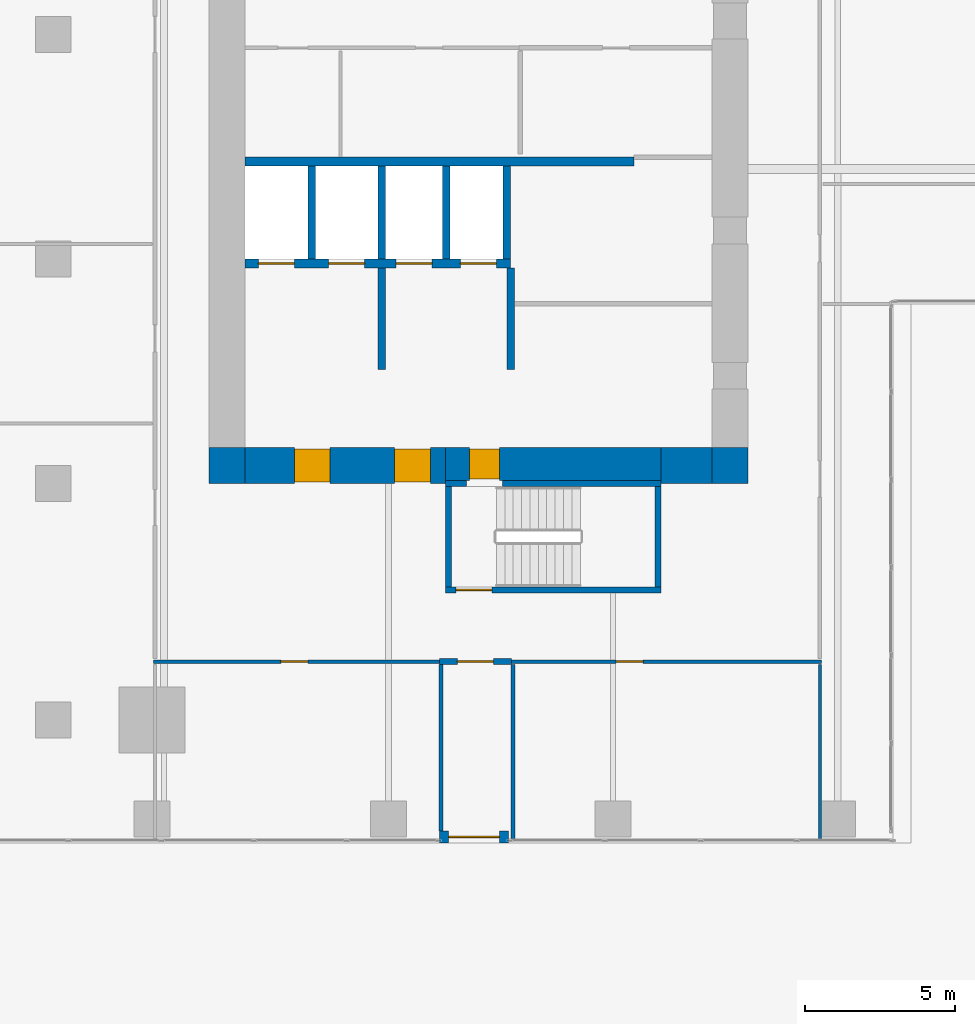
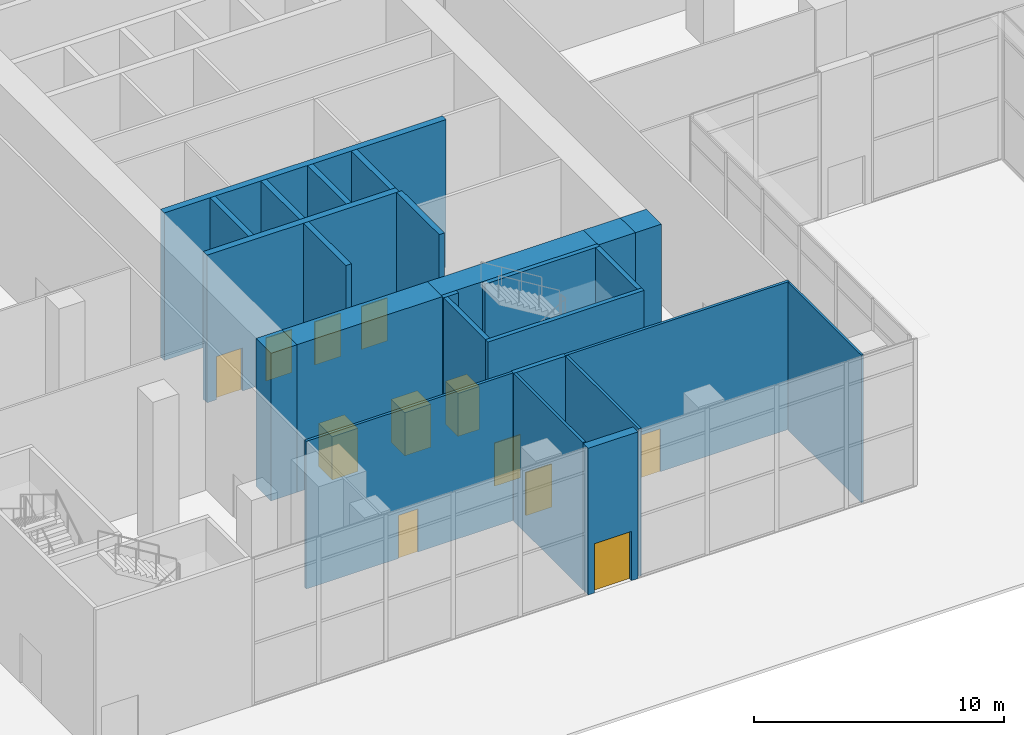
# One storey, part 37 of 52: 25 walls, 12 doors, 12 openings.
"""IFC4 building model written with IfcOpenShell, lengths in metres."""

from ifc_helpers import new_model, si_unit, direction, frame, frame_2d, origin, place, context, subcontext, project, spatial, rectangle, extrude, source, transform, mapped, material, layer, layer_set, type_object, element, fill, save


model = new_model("IFC4")

# Units and contexts
model_context = context("Model", 3, precision=1e-05, world=origin(), true_north=direction((0.0, 1.0)))
body_context = subcontext(model_context, "Body", "Model", "MODEL_VIEW")
ifc_project = project(units=[si_unit("LENGTHUNIT", "METRE"), si_unit("AREAUNIT", "SQUARE_METRE"), si_unit("VOLUMEUNIT", "CUBIC_METRE"), si_unit("PLANEANGLEUNIT", "RADIAN"), si_unit("MASSUNIT", "GRAM", prefix="KILO")], contexts=[model_context])

# Site, building, storey
site_placement = place(None, origin())
site = spatial("IfcSite", under=ifc_project, at=site_placement, CompositionType="ELEMENT")
building_placement = place(site_placement, origin())
building = spatial("IfcBuilding", under=site, at=building_placement, Name="Khomas Fold Tower", CompositionType="ELEMENT")
storey_placement = place(building_placement, origin())
storey = spatial("IfcBuildingStorey", under=building, at=storey_placement, Name="L00", CompositionType="ELEMENT", Elevation=0.0)

# Wall, openings, doors
ifc_material_1 = material(Name="Concrete C70/85", Category="concrete")
ifc_layer_1 = layer(ifc_material_1, 1.199951171875)
ifc_layer_set_1 = layer_set([ifc_layer_1], Name="Concrete C70/85")
wall_type_1 = type_object("IfcWallType", Name="Core wall 1200", PredefinedType="SHEAR", material=ifc_layer_set_1)
shared_shape_1 = source(origin(), body_context, "Body", "SweptSolid", [
    extrude(rectangle(XDim=6.699951171875, YDim=1.199951171875, at=frame_2d((3.35009765625, 0.0))), origin(), (0.0, 0.0, 1.0), 7.199951171875),
])
wall_1_placement = place(storey_placement, frame((7.199951171875, 12.60009765625, 0.0), z_axis=(0.0, 0.0, 1.0), x_axis=(1.0, 0.0, 0.0)))
wall_1 = element("IfcWall", 1, at=wall_1_placement, inside=storey, type_object=wall_type_1, Name="Core wall CW-L-S-B2", PredefinedType="SHEAR", context=body_context, shape_type="MappedRepresentation", body=[
    mapped(shared_shape_1, transform((0.0, 0.0, 0.0))),
])
shared_shape_2 = source(origin(), body_context, "Body", "SweptSolid", [
    extrude(rectangle(XDim=1.199951171875, YDim=2.10009765625, at=frame_2d((0.60009765625, 1.050048828125))), frame((0.0, 0.60986328125, 0.0), z_axis=(0.0, -1.0, 0.0), x_axis=(1.0, 0.0, 0.0)), (0.0, 0.0, 1.0), 1.219970703125),
])
opening_1_placement = place(wall_1_placement, frame((5.0, 0.0, 0.0)))
opening_1 = element("IfcOpeningElement", 2, at=opening_1_placement, cuts=wall_1, Name="Opening 0009", PredefinedType="OPENING", context=body_context, shape_type="MappedRepresentation", body=[
    mapped(shared_shape_2, transform((0.0, 0.0, 0.0))),
])
opening_2_placement = place(wall_1_placement, frame((1.64990234375, 0.0, 0.0)))
opening_2 = element("IfcOpeningElement", 3, at=opening_2_placement, cuts=wall_1, Name="Opening 0009", PredefinedType="OPENING", context=body_context, shape_type="MappedRepresentation", body=[
    mapped(shared_shape_2, transform((0.0, 0.0, 0.0))),
])
ifc_material_2 = material(Name="Steel door leaf", Category="steel")
door_type_1 = type_object("IfcDoorType", Name="Lobby door 1200x2100 right-hand", OperationType="SINGLE_SWING_RIGHT", PredefinedType="DOOR", material=ifc_material_2)
shared_shape_3 = source(origin(), body_context, "Body", "SweptSolid", [
    extrude(rectangle(XDim=1.199951171875, YDim=2.10009765625, at=frame_2d((0.60009765625, 1.050048828125))), frame((0.0, 0.5498046875, 0.0), z_axis=(0.0, -1.0, 0.0), x_axis=(1.0, 0.0, 0.0)), (0.0, 0.0, 1.0), 1.099853515625),
])
door_1_placement = place(opening_1_placement, origin())
door_1 = element("IfcDoor", 4, at=door_1_placement, inside=storey, type_object=door_type_1, Name="Lobby door", OperationType="SINGLE_SWING_RIGHT", OverallHeight=2.10009765625, OverallWidth=1.199951171875, PredefinedType="DOOR", context=body_context, shape_type="MappedRepresentation", body=[
    mapped(shared_shape_3, transform((0.0, 0.0, 0.0))),
])
fill(opening_1, door_1)
door_2_placement = place(opening_2_placement, origin())
door_2 = element("IfcDoor", 5, at=door_2_placement, inside=storey, type_object=door_type_1, Name="Lobby door", OperationType="SINGLE_SWING_RIGHT", OverallHeight=2.10009765625, OverallWidth=1.199951171875, PredefinedType="DOOR", context=body_context, shape_type="MappedRepresentation", body=[
    mapped(shared_shape_3, transform((0.0, 0.0, 0.0))),
])
fill(opening_2, door_2)

# Walls
ifc_material_3 = material(Name="Concrete C70/85", Category="concrete")
ifc_layer_2 = layer(ifc_material_3, 1.199951171875)
ifc_layer_set_2 = layer_set([ifc_layer_2], Name="Concrete C70/85")
wall_type_2 = type_object("IfcWallType", Name="Core corner wall 1200", PredefinedType="SHEAR", material=ifc_layer_set_2)
shared_shape_4 = source(origin(), body_context, "Body", "SweptSolid", [
    extrude(rectangle(XDim=1.199951171875, YDim=1.199951171875, at=frame_2d((0.60009765625, 0.0))), origin(), (0.0, 0.0, 1.0), 7.199951171875),
])
for number, where, z_axis, x_axis, name in (
    (6, (22.800048828125, 12.60009765625, 0.0), (0.0, 0.0, 1.0), (1.0, 0.0, 0.0), "Core wall CW-L-SE-B2"),
    (7, (6.0, 12.60009765625, 0.0), (0.0, 0.0, 1.0), (1.0, 0.0, 0.0), "Core wall CW-L-SW-B2"),
):
    element("IfcWall", number, at=place(storey_placement, frame(where, z_axis=z_axis, x_axis=x_axis)), inside=storey, type_object=wall_type_2, Name=name, PredefinedType="SHEAR", context=body_context, shape_type="MappedRepresentation", body=[
        mapped(shared_shape_4, transform((0.0, 0.0, 0.0))),
    ])

# Wall, opening, door
ifc_material_4 = material(Name="Concrete C70/85", Category="concrete")
ifc_layer_3 = layer(ifc_material_4, 1.10009765625)
ifc_layer_set_3 = layer_set([ifc_layer_3], Name="Concrete C70/85")
wall_type_3 = type_object("IfcWallType", Name="Core wall 1100", PredefinedType="SHEAR", material=ifc_layer_set_3)
shared_shape_5 = source(origin(), body_context, "Body", "SweptSolid", [
    extrude(rectangle(XDim=7.2001953125, YDim=1.10009765625, at=frame_2d((3.60009765625, 0.0))), origin(), (0.0, 0.0, 1.0), 7.199951171875),
])
wall_2_placement = place(storey_placement, frame((13.89990234375, 12.64990234375, 0.0), z_axis=(0.0, 0.0, 1.0), x_axis=(1.0, 0.0, 0.0)))
wall_2 = element("IfcWall", 8, at=wall_2_placement, inside=storey, type_object=wall_type_3, Name="Core wall CW-L-S-B2-1", PredefinedType="SHEAR", context=body_context, shape_type="MappedRepresentation", body=[
    mapped(shared_shape_5, transform((0.0, 0.0, 0.0))),
])
shared_shape_6 = source(origin(), body_context, "Body", "SweptSolid", [
    extrude(rectangle(XDim=1.0, YDim=2.10009765625, at=frame_2d((0.5, 1.050048828125))), frame((0.0, 0.56005859375, 0.0), z_axis=(0.0, -1.0, 0.0), x_axis=(1.0, 0.0, 0.0)), (0.0, 0.0, 1.0), 1.1201171875),
])
opening_3_placement = place(wall_2_placement, frame((0.800048828125, 0.0, 0.0)))
opening_3 = element("IfcOpeningElement", 9, at=opening_3_placement, cuts=wall_2, Name="Opening 0010", PredefinedType="OPENING", context=body_context, shape_type="MappedRepresentation", body=[
    mapped(shared_shape_6, transform((0.0, 0.0, 0.0))),
])
ifc_material_5 = material(Name="Steel door leaf", Category="steel")
door_type_2 = type_object("IfcDoorType", Name="Stair door 1000x2100 right-hand", OperationType="SINGLE_SWING_RIGHT", PredefinedType="DOOR", material=ifc_material_5)
shared_shape_7 = source(origin(), body_context, "Body", "SweptSolid", [
    extrude(rectangle(XDim=1.0, YDim=2.10009765625, at=frame_2d((0.5, 1.050048828125))), frame((0.0, 0.5, 0.0), z_axis=(0.0, -1.0, 0.0), x_axis=(1.0, 0.0, 0.0)), (0.0, 0.0, 1.0), 1.0),
])
door_3_placement = place(opening_3_placement, origin())
door_3 = element("IfcDoor", 10, at=door_3_placement, inside=storey, type_object=door_type_2, Name="Stair door", OperationType="SINGLE_SWING_RIGHT", OverallHeight=2.10009765625, OverallWidth=1.0, PredefinedType="DOOR", context=body_context, shape_type="MappedRepresentation", body=[
    mapped(shared_shape_7, transform((0.0, 0.0, 0.0))),
])
fill(opening_3, door_3)

# Walls
shared_shape_8 = source(origin(), body_context, "Body", "SweptSolid", [
    extrude(rectangle(XDim=1.699951171875, YDim=1.199951171875, at=frame_2d((0.85009765625, 0.0))), origin(), (0.0, 0.0, 1.0), 7.199951171875),
])
wall_3_placement = place(storey_placement, frame((21.10009765625, 12.60009765625, 0.0), z_axis=(0.0, 0.0, 1.0), x_axis=(1.0, 0.0, 0.0)))
element("IfcWall", 11, at=wall_3_placement, inside=storey, type_object=wall_type_1, Name="Core wall CW-L-S-B2-2", PredefinedType="SHEAR", context=body_context, shape_type="MappedRepresentation", body=[
    mapped(shared_shape_8, transform((0.0, 0.0, 0.0))),
])
ifc_material_6 = material(Name="Concrete C50/60", Category="concrete")
ifc_layer_4 = layer(ifc_material_6, 0.199951171875)
ifc_layer_set_4 = layer_set([ifc_layer_4], Name="Concrete C50/60")
wall_type_4 = type_object("IfcWallType", Name="Stair wall 200", PredefinedType="SHEAR", material=ifc_layer_set_4)
shared_shape_9 = source(origin(), body_context, "Body", "SweptSolid", [
    extrude(rectangle(XDim=0.7001953125, YDim=0.199951171875, at=frame_2d((0.35009765625, 0.0))), origin(), (0.0, 0.0, 1.0), 7.199951171875),
])
wall_4_placement = place(storey_placement, frame((13.89990234375, 12.0, 0.0), z_axis=(0.0, 0.0, 1.0), x_axis=(1.0, 0.0, 0.0)))
element("IfcWall", 12, at=wall_4_placement, inside=storey, type_object=wall_type_4, Name="Stair wall SW-ST2-N", PredefinedType="SHEAR", context=body_context, shape_type="MappedRepresentation", body=[
    mapped(shared_shape_9, transform((0.0, 0.0, 0.0))),
])
shared_shape_10 = source(origin(), body_context, "Body", "SweptSolid", [
    extrude(rectangle(XDim=5.300048828125, YDim=0.199951171875, at=frame_2d((2.64990234375, 0.0))), origin(), (0.0, 0.0, 1.0), 7.199951171875),
])
wall_5_placement = place(storey_placement, frame((15.800048828125, 12.0, 0.0), z_axis=(0.0, 0.0, 1.0), x_axis=(1.0, 0.0, 0.0)))
element("IfcWall", 13, at=wall_5_placement, inside=storey, type_object=wall_type_4, Name="Stair wall SW-ST2-NB", PredefinedType="SHEAR", context=body_context, shape_type="MappedRepresentation", body=[
    mapped(shared_shape_10, transform((0.0, 0.0, 0.0))),
])

# Wall, opening, door
shared_shape_11 = source(origin(), body_context, "Body", "SweptSolid", [
    extrude(rectangle(XDim=7.2001953125, YDim=0.199951171875, at=frame_2d((3.60009765625, 0.0))), origin(), (0.0, 0.0, 1.0), 7.199951171875),
])
wall_6_placement = place(storey_placement, frame((13.89990234375, 8.449951171875, 0.0), z_axis=(0.0, 0.0, 1.0), x_axis=(1.0, 0.0, 0.0)))
wall_6 = element("IfcWall", 14, at=wall_6_placement, inside=storey, type_object=wall_type_4, Name="Stair wall SW-ST2-S", PredefinedType="SHEAR", context=body_context, shape_type="MappedRepresentation", body=[
    mapped(shared_shape_11, transform((0.0, 0.0, 0.0))),
])
shared_shape_12 = source(origin(), body_context, "Body", "SweptSolid", [
    extrude(rectangle(XDim=1.199951171875, YDim=2.10009765625, at=frame_2d((0.60009765625, 1.050048828125))), frame((0.0, 0.10986328125, 0.0), z_axis=(0.0, -1.0, 0.0), x_axis=(1.0, 0.0, 0.0)), (0.0, 0.0, 1.0), 0.219970703125),
])
opening_4_placement = place(wall_6_placement, frame((0.35009765625, 0.0, 0.0)))
opening_4 = element("IfcOpeningElement", 15, at=opening_4_placement, cuts=wall_6, Name="Opening SD-ST2", PredefinedType="OPENING", context=body_context, shape_type="MappedRepresentation", body=[
    mapped(shared_shape_12, transform((0.0, 0.0, 0.0))),
])
ifc_material_7 = material(Name="Steel door leaf", Category="steel")
door_type_3 = type_object("IfcDoorType", Name="Stair door 1200x2100 right-hand", OperationType="SINGLE_SWING_RIGHT", PredefinedType="DOOR", material=ifc_material_7)
shared_shape_13 = source(origin(), body_context, "Body", "SweptSolid", [
    extrude(rectangle(XDim=1.199951171875, YDim=2.10009765625, at=frame_2d((0.60009765625, 1.050048828125))), frame((0.0, 0.02490234375, 0.0), z_axis=(0.0, -1.0, 0.0), x_axis=(1.0, 0.0, 0.0)), (0.0, 0.0, 1.0), 0.050048828125),
])
door_4_placement = place(opening_4_placement, origin())
door_4 = element("IfcDoor", 16, at=door_4_placement, inside=storey, type_object=door_type_3, Name="Stair door", OperationType="SINGLE_SWING_RIGHT", OverallHeight=2.10009765625, OverallWidth=1.199951171875, PredefinedType="DOOR", context=body_context, shape_type="MappedRepresentation", body=[
    mapped(shared_shape_13, transform((0.0, 0.0, 0.0))),
])
fill(opening_4, door_4)

# Walls
shared_shape_14 = source(origin(), body_context, "Body", "SweptSolid", [
    extrude(rectangle(XDim=3.349853515625, YDim=0.199951171875, at=frame_2d((1.6748046875, 0.0))), origin(), (0.0, 0.0, 1.0), 7.199951171875),
])
for number, where, z_axis, x_axis, name in (
    (17, (21.0, 8.550048828125, 0.0), (0.0, 0.0, 1.0), (0.0, 1.0, 0.0), "Stair wall SW-ST2-E"),
    (18, (14.0, 8.550048828125, 0.0), (0.0, 0.0, 1.0), (0.0, 1.0, 0.0), "Stair wall SW-ST2-W"),
):
    element("IfcWall", number, at=place(storey_placement, frame(where, z_axis=z_axis, x_axis=x_axis)), inside=storey, type_object=wall_type_4, Name=name, PredefinedType="SHEAR", context=body_context, shape_type="MappedRepresentation", body=[
        mapped(shared_shape_14, transform((0.0, 0.0, 0.0))),
    ])
ifc_material_8 = material(Name="Concrete C50/60", Category="concrete")
ifc_layer_5 = layer(ifc_material_8, 0.300048828125)
ifc_layer_set_5 = layer_set([ifc_layer_5], Name="Concrete C50/60")
wall_type_5 = type_object("IfcWallType", Name="Shaft wall 300", PredefinedType="STANDARD", material=ifc_layer_set_5)
shared_shape_15 = source(origin(), body_context, "Body", "SweptSolid", [
    extrude(rectangle(XDim=13.0, YDim=0.300048828125, at=frame_2d((6.5, 0.0))), origin(), (0.0, 0.0, 1.0), 7.199951171875),
])
wall_7_placement = place(storey_placement, frame((7.199951171875, 22.75, 0.0), z_axis=(0.0, 0.0, 1.0), x_axis=(1.0, 0.0, 0.0)))
element("IfcWall", 19, at=wall_7_placement, inside=storey, type_object=wall_type_5, Name="Core wall SW-FS-B", PredefinedType="STANDARD", context=body_context, shape_type="MappedRepresentation", body=[
    mapped(shared_shape_15, transform((0.0, 0.0, 0.0))),
])

# Wall, openings, doors
shared_shape_16 = source(origin(), body_context, "Body", "SweptSolid", [
    extrude(rectangle(XDim=8.875, YDim=0.300048828125, at=frame_2d((4.4375, 0.0))), origin(), (0.0, 0.0, 1.0), 7.199951171875),
])
wall_8_placement = place(storey_placement, frame((7.199951171875, 19.35009765625, 0.0), z_axis=(0.0, 0.0, 1.0), x_axis=(1.0, 0.0, 0.0)))
wall_8 = element("IfcWall", 20, at=wall_8_placement, inside=storey, type_object=wall_type_5, Name="Core wall SW-FS-F", PredefinedType="STANDARD", context=body_context, shape_type="MappedRepresentation", body=[
    mapped(shared_shape_16, transform((0.0, 0.0, 0.0))),
])
shared_shape_17 = source(origin(), body_context, "Body", "SweptSolid", [
    extrude(rectangle(XDim=1.199951171875, YDim=2.10009765625, at=frame_2d((0.60009765625, 1.050048828125))), frame((0.0, 0.159912109375, 0.0), z_axis=(0.0, -1.0, 0.0), x_axis=(1.0, 0.0, 0.0)), (0.0, 0.0, 1.0), 0.320068359375),
])
opening_5_placement = place(wall_8_placement, frame((0.449951171875, 0.0, 0.0)))
opening_5 = element("IfcOpeningElement", 21, at=opening_5_placement, cuts=wall_8, Name="Opening LD-SV1", PredefinedType="OPENING", context=body_context, shape_type="MappedRepresentation", body=[
    mapped(shared_shape_17, transform((0.0, 0.0, 0.0))),
])
opening_6_placement = place(wall_8_placement, frame((2.800048828125, 0.0, 0.0)))
opening_6 = element("IfcOpeningElement", 22, at=opening_6_placement, cuts=wall_8, Name="Opening LD-SV2", PredefinedType="OPENING", context=body_context, shape_type="MappedRepresentation", body=[
    mapped(shared_shape_17, transform((0.0, 0.0, 0.0))),
])
opening_7_placement = place(wall_8_placement, frame((5.050048828125, 0.0, 0.0)))
opening_7 = element("IfcOpeningElement", 23, at=opening_7_placement, cuts=wall_8, Name="Opening LD-FF1", PredefinedType="OPENING", context=body_context, shape_type="MappedRepresentation", body=[
    mapped(shared_shape_17, transform((0.0, 0.0, 0.0))),
])
opening_8_placement = place(wall_8_placement, frame((7.199951171875, 0.0, 0.0)))
opening_8 = element("IfcOpeningElement", 24, at=opening_8_placement, cuts=wall_8, Name="Opening LD-FF2", PredefinedType="OPENING", context=body_context, shape_type="MappedRepresentation", body=[
    mapped(shared_shape_17, transform((0.0, 0.0, 0.0))),
])
ifc_material_9 = material(Name="Steel door leaf", Category="steel")
door_type_4 = type_object("IfcDoorType", Name="Landing door 1200x2100", OperationType="DOUBLE_DOOR_SLIDING", PredefinedType="DOOR", material=ifc_material_9)
door_5_placement = place(opening_5_placement, origin())
door_5 = element("IfcDoor", 25, at=door_5_placement, inside=storey, type_object=door_type_4, Name="Lift landing door", OperationType="DOUBLE_DOOR_SLIDING", OverallHeight=2.10009765625, OverallWidth=1.199951171875, PredefinedType="DOOR", context=body_context, shape_type="MappedRepresentation", body=[
    mapped(shared_shape_13, transform((0.0, 0.0, 0.0))),
])
fill(opening_5, door_5)
door_6_placement = place(opening_6_placement, origin())
door_6 = element("IfcDoor", 26, at=door_6_placement, inside=storey, type_object=door_type_4, Name="Lift landing door", OperationType="DOUBLE_DOOR_SLIDING", OverallHeight=2.10009765625, OverallWidth=1.199951171875, PredefinedType="DOOR", context=body_context, shape_type="MappedRepresentation", body=[
    mapped(shared_shape_13, transform((0.0, 0.0, 0.0))),
])
fill(opening_6, door_6)
door_7_placement = place(opening_7_placement, origin())
door_7 = element("IfcDoor", 27, at=door_7_placement, inside=storey, type_object=door_type_4, Name="Lift landing door", OperationType="DOUBLE_DOOR_SLIDING", OverallHeight=2.10009765625, OverallWidth=1.199951171875, PredefinedType="DOOR", context=body_context, shape_type="MappedRepresentation", body=[
    mapped(shared_shape_13, transform((0.0, 0.0, 0.0))),
])
fill(opening_7, door_7)
door_8_placement = place(opening_8_placement, origin())
door_8 = element("IfcDoor", 28, at=door_8_placement, inside=storey, type_object=door_type_4, Name="Lift landing door", OperationType="DOUBLE_DOOR_SLIDING", OverallHeight=2.10009765625, OverallWidth=1.199951171875, PredefinedType="DOOR", context=body_context, shape_type="MappedRepresentation", body=[
    mapped(shared_shape_13, transform((0.0, 0.0, 0.0))),
])
fill(opening_8, door_8)

# Walls
ifc_material_10 = material(Name="Concrete C50/60", Category="concrete")
ifc_layer_6 = layer(ifc_material_10, 0.25)
ifc_layer_set_6 = layer_set([ifc_layer_6], Name="Concrete C50/60")
wall_type_6 = type_object("IfcWallType", Name="Shaft wall 250", PredefinedType="STANDARD", material=ifc_layer_set_6)
shared_shape_18 = source(origin(), body_context, "Body", "SweptSolid", [
    extrude(rectangle(XDim=3.10009765625, YDim=0.25, at=frame_2d((1.550048828125, 0.0))), origin(), (0.0, 0.0, 1.0), 7.199951171875),
])
for number, where, z_axis, x_axis, name in (
    (29, (9.425048828125, 19.5, 0.0), (0.0, 0.0, 1.0), (0.0, 1.0, 0.0), "Core wall SW-FS-P1"),
    (30, (11.77490234375, 19.5, 0.0), (0.0, 0.0, 1.0), (0.0, 1.0, 0.0), "Core wall SW-FS-P2"),
    (31, (13.925048828125, 19.5, 0.0), (0.0, 0.0, 1.0), (0.0, 1.0, 0.0), "Core wall SW-FS-P3"),
    (32, (15.949951171875, 19.5, 0.0), (0.0, 0.0, 1.0), (0.0, 1.0, 0.0), "Core wall SW-FS-PE"),
):
    element("IfcWall", number, at=place(storey_placement, frame(where, z_axis=z_axis, x_axis=x_axis)), inside=storey, type_object=wall_type_6, Name=name, PredefinedType="STANDARD", context=body_context, shape_type="MappedRepresentation", body=[
        mapped(shared_shape_18, transform((0.0, 0.0, 0.0))),
    ])
ifc_material_11 = material(Name="Concrete C50/60", Category="concrete")
ifc_layer_7 = layer(ifc_material_11, 0.25)
ifc_layer_set_7 = layer_set([ifc_layer_7], Name="Concrete C50/60")
wall_type_7 = type_object("IfcWallType", Name="Lobby wall 250", PredefinedType="STANDARD", material=ifc_layer_set_7)
shared_shape_19 = source(origin(), body_context, "Body", "SweptSolid", [
    extrude(rectangle(XDim=3.39990234375, YDim=0.25, at=frame_2d((1.699951171875, 0.0))), origin(), (0.0, 0.0, 1.0), 7.199951171875),
])
for number, where, z_axis, x_axis, name in (
    (33, (16.074951171875, 15.800048828125, 0.0), (0.0, 0.0, 1.0), (0.0, 1.0, 0.0), "Core wall SW-FS-LOB-E"),
    (34, (11.77490234375, 15.800048828125, 0.0), (0.0, 0.0, 1.0), (0.0, 1.0, 0.0), "Core wall SW-FS-SEP"),
):
    element("IfcWall", number, at=place(storey_placement, frame(where, z_axis=z_axis, x_axis=x_axis)), inside=storey, type_object=wall_type_7, Name=name, PredefinedType="STANDARD", context=body_context, shape_type="MappedRepresentation", body=[
        mapped(shared_shape_19, transform((0.0, 0.0, 0.0))),
    ])

# Wall, opening, door
ifc_material_12 = material(Name="Concrete C40/50", Category="concrete")
ifc_layer_8 = layer(ifc_material_12, 0.39990234375)
ifc_layer_set_8 = layer_set([ifc_layer_8], Name="Concrete C40/50")
wall_type_8 = type_object("IfcWallType", Name="Stone-clad concrete wall 400", PredefinedType="SOLIDWALL", material=ifc_layer_set_8)
shared_shape_20 = source(origin(), body_context, "Body", "SweptSolid", [
    extrude(rectangle(XDim=2.300048828125, YDim=0.39990234375, at=frame_2d((1.14990234375, 0.0))), origin(), (0.0, 0.0, 1.0), 7.14990234375),
])
wall_9_placement = place(storey_placement, frame((13.699951171875, 0.199951171875, 0.0), z_axis=(0.0, 0.0, 1.0), x_axis=(1.0, 0.0, 0.0)))
wall_9 = element("IfcWall", 35, at=wall_9_placement, inside=storey, type_object=wall_type_8, Name="Podium wall", PredefinedType="SOLIDWALL", context=body_context, shape_type="MappedRepresentation", body=[
    mapped(shared_shape_20, transform((0.0, 0.0, 0.0))),
])
shared_shape_21 = source(origin(), body_context, "Body", "SweptSolid", [
    extrude(rectangle(XDim=1.699951171875, YDim=2.39990234375, at=frame_2d((0.85009765625, 1.199951171875))), frame((0.0, 0.2099609375, 0.0), z_axis=(0.0, -1.0, 0.0), x_axis=(1.0, 0.0, 0.0)), (0.0, 0.0, 1.0), 0.419921875),
])
opening_9_placement = place(wall_9_placement, frame((2.0, 0.0, 0.0), z_axis=(0.0, 0.0, 1.0), x_axis=(-1.0, 0.0, 0.0)))
opening_9 = element("IfcOpeningElement", 36, at=opening_9_placement, cuts=wall_9, Name="Opening X10", PredefinedType="OPENING", context=body_context, shape_type="MappedRepresentation", body=[
    mapped(shared_shape_21, transform((0.0, 0.0, 0.0))),
])
ifc_material_13 = material(Name="Aluminium framed glazing", Category="aluminium")
door_type_5 = type_object("IfcDoorType", Name="Glazed pedestrian door 1700 x 2400", OperationType="DOUBLE_DOOR_SINGLE_SWING", PredefinedType="DOOR", material=ifc_material_13)
shared_shape_22 = source(origin(), body_context, "Body", "SweptSolid", [
    extrude(rectangle(XDim=1.699951171875, YDim=2.39990234375, at=frame_2d((0.85009765625, 1.199951171875))), frame((0.0, 0.02490234375, 0.0), z_axis=(0.0, -1.0, 0.0), x_axis=(1.0, 0.0, 0.0)), (0.0, 0.0, 1.0), 0.050048828125),
])
door_9_placement = place(opening_9_placement, origin())
door_9 = element("IfcDoor", 37, at=door_9_placement, inside=storey, type_object=door_type_5, Name="Exit X10", OperationType="DOUBLE_DOOR_SINGLE_SWING", OverallHeight=2.39990234375, OverallWidth=1.699951171875, PredefinedType="DOOR", context=body_context, shape_type="MappedRepresentation", body=[
    mapped(shared_shape_22, transform((0.0, 0.0, 0.0))),
])
fill(opening_9, door_9)

# Walls
ifc_material_14 = material(Name="Plasterboard partition")
ifc_layer_9 = layer(ifc_material_14, 0.10009765625)
ifc_layer_set_9 = layer_set([ifc_layer_9], Name="Plasterboard partition")
wall_type_9 = type_object("IfcWallType", Name="Partition PW1 100", PredefinedType="PARTITIONING", material=ifc_layer_set_9)
shared_shape_23 = source(origin(), body_context, "Body", "SweptSolid", [
    extrude(rectangle(XDim=5.849853515625, YDim=0.10009765625, at=frame_2d((2.9248046875, 0.0))), origin(), (0.0, 0.0, 1.0), 7.199951171875),
])
wall_10_placement = place(storey_placement, frame((26.39990234375, 0.10009765625, 0.0), z_axis=(0.0, 0.0, 1.0), x_axis=(0.0, 1.0, 0.0)))
element("IfcWall", 38, at=wall_10_placement, inside=storey, type_object=wall_type_9, Name="Partition", PredefinedType="PARTITIONING", context=body_context, shape_type="MappedRepresentation", body=[
    mapped(shared_shape_23, transform((0.0, 0.0, 0.0))),
])
ifc_material_15 = material(Name="Plasterboard partition")
ifc_layer_10 = layer(ifc_material_15, 0.125)
ifc_layer_set_10 = layer_set([ifc_layer_10], Name="Plasterboard partition")
wall_type_10 = type_object("IfcWallType", Name="Partition PW2 125", PredefinedType="PARTITIONING", material=ifc_layer_set_10)
shared_shape_24 = source(origin(), body_context, "Body", "SweptSolid", [
    extrude(rectangle(XDim=5.550048828125, YDim=0.125, at=frame_2d((2.77490234375, 0.0))), origin(), (0.0, 0.0, 1.0), 7.199951171875),
])
wall_11_placement = place(storey_placement, frame((13.75, 0.39990234375, 0.0), z_axis=(0.0, 0.0, 1.0), x_axis=(0.0, 1.0, 0.0)))
element("IfcWall", 39, at=wall_11_placement, inside=storey, type_object=wall_type_10, Name="Partition", PredefinedType="PARTITIONING", context=body_context, shape_type="MappedRepresentation", body=[
    mapped(shared_shape_24, transform((0.0, 0.0, 0.0))),
])
shared_shape_25 = source(origin(), body_context, "Body", "SweptSolid", [
    extrude(rectangle(XDim=5.849853515625, YDim=0.125, at=frame_2d((2.9248046875, 0.0))), origin(), (0.0, 0.0, 1.0), 7.199951171875),
])
wall_12_placement = place(storey_placement, frame((16.14990234375, 0.10009765625, 0.0), z_axis=(0.0, 0.0, 1.0), x_axis=(0.0, 1.0, 0.0)))
element("IfcWall", 40, at=wall_12_placement, inside=storey, type_object=wall_type_10, Name="Partition", PredefinedType="PARTITIONING", context=body_context, shape_type="MappedRepresentation", body=[
    mapped(shared_shape_25, transform((0.0, 0.0, 0.0))),
])

# Wall, opening, door
shared_shape_26 = source(origin(), body_context, "Body", "SweptSolid", [
    extrude(rectangle(XDim=9.550048828125, YDim=0.125, at=frame_2d((4.77490234375, 0.0))), origin(), (0.0, 0.0, 1.0), 7.199951171875),
])
wall_13_placement = place(storey_placement, frame((4.14990234375, 6.050048828125, 0.0), z_axis=(0.0, 0.0, 1.0), x_axis=(1.0, 0.0, 0.0)))
wall_13 = element("IfcWall", 41, at=wall_13_placement, inside=storey, type_object=wall_type_10, Name="Partition", PredefinedType="PARTITIONING", context=body_context, shape_type="MappedRepresentation", body=[
    mapped(shared_shape_26, transform((0.0, 0.0, 0.0))),
])
shared_shape_27 = source(origin(), body_context, "Body", "SweptSolid", [
    extrude(rectangle(XDim=0.89990234375, YDim=2.10009765625, at=frame_2d((0.449951171875, 1.050048828125))), frame((0.0, 0.072509765625, 0.0), z_axis=(0.0, -1.0, 0.0), x_axis=(1.0, 0.0, 0.0)), (0.0, 0.0, 1.0), 0.14501953125),
])
opening_10_placement = place(wall_13_placement, frame((4.25, 0.0, 0.0)))
opening_10 = element("IfcOpeningElement", 42, at=opening_10_placement, cuts=wall_13, Name="Opening 0007", PredefinedType="OPENING", context=body_context, shape_type="MappedRepresentation", body=[
    mapped(shared_shape_27, transform((0.0, 0.0, 0.0))),
])
ifc_material_16 = material(Name="Timber door leaf", Category="wood")
door_type_6 = type_object("IfcDoorType", Name="Door 900x2100 left-hand", OperationType="SINGLE_SWING_LEFT", PredefinedType="DOOR", material=ifc_material_16)
shared_shape_28 = source(origin(), body_context, "Body", "SweptSolid", [
    extrude(rectangle(XDim=0.89990234375, YDim=2.10009765625, at=frame_2d((0.449951171875, 1.050048828125))), frame((0.0, 0.02490234375, 0.0), z_axis=(0.0, -1.0, 0.0), x_axis=(1.0, 0.0, 0.0)), (0.0, 0.0, 1.0), 0.050048828125),
])
door_10_placement = place(opening_10_placement, origin())
door_10 = element("IfcDoor", 43, at=door_10_placement, inside=storey, type_object=door_type_6, Name="Door", OperationType="SINGLE_SWING_LEFT", OverallHeight=2.10009765625, OverallWidth=0.89990234375, PredefinedType="DOOR", context=body_context, shape_type="MappedRepresentation", body=[
    mapped(shared_shape_28, transform((0.0, 0.0, 0.0))),
])
fill(opening_10, door_10)

ifc_material_17 = material(Name="Concrete C30/37", Category="concrete")
ifc_layer_11 = layer(ifc_material_17, 0.199951171875)
ifc_layer_set_11 = layer_set([ifc_layer_11], Name="Concrete C30/37")
wall_type_11 = type_object("IfcWallType", Name="Lobby wall PW4 200", PredefinedType="PARTITIONING", material=ifc_layer_set_11)
shared_shape_29 = source(origin(), body_context, "Body", "SweptSolid", [
    extrude(rectangle(XDim=2.400146484375, YDim=0.199951171875, at=frame_2d((1.2001953125, 0.0))), origin(), (0.0, 0.0, 1.0), 7.199951171875),
])
wall_14_placement = place(storey_placement, frame((13.699951171875, 6.050048828125, 0.0), z_axis=(0.0, 0.0, 1.0), x_axis=(1.0, 0.0, 0.0)))
wall_14 = element("IfcWall", 44, at=wall_14_placement, inside=storey, type_object=wall_type_11, Name="Lobby wall", PredefinedType="PARTITIONING", context=body_context, shape_type="MappedRepresentation", body=[
    mapped(shared_shape_29, transform((0.0, 0.0, 0.0))),
])
opening_11_placement = place(wall_14_placement, frame((0.60009765625, 0.0, 0.0)))
opening_11 = element("IfcOpeningElement", 45, at=opening_11_placement, cuts=wall_14, Name="Opening 0009", PredefinedType="OPENING", context=body_context, shape_type="MappedRepresentation", body=[
    mapped(shared_shape_12, transform((0.0, 0.0, 0.0))),
])
door_11_placement = place(opening_11_placement, origin())
door_11 = element("IfcDoor", 46, at=door_11_placement, inside=storey, type_object=door_type_1, Name="Lobby door", OperationType="SINGLE_SWING_RIGHT", OverallHeight=2.10009765625, OverallWidth=1.199951171875, PredefinedType="DOOR", context=body_context, shape_type="MappedRepresentation", body=[
    mapped(shared_shape_13, transform((0.0, 0.0, 0.0))),
])
fill(opening_11, door_11)

shared_shape_30 = source(origin(), body_context, "Body", "SweptSolid", [
    extrude(rectangle(XDim=10.349853515625, YDim=0.125, at=frame_2d((5.1748046875, 0.0))), origin(), (0.0, 0.0, 1.0), 7.199951171875),
])
wall_15_placement = place(storey_placement, frame((16.10009765625, 6.050048828125, 0.0), z_axis=(0.0, 0.0, 1.0), x_axis=(1.0, 0.0, 0.0)))
wall_15 = element("IfcWall", 47, at=wall_15_placement, inside=storey, type_object=wall_type_10, Name="Partition", PredefinedType="PARTITIONING", context=body_context, shape_type="MappedRepresentation", body=[
    mapped(shared_shape_30, transform((0.0, 0.0, 0.0))),
])
opening_12_placement = place(wall_15_placement, frame((3.5, 0.0, 0.0)))
opening_12 = element("IfcOpeningElement", 48, at=opening_12_placement, cuts=wall_15, Name="Opening 0008", PredefinedType="OPENING", context=body_context, shape_type="MappedRepresentation", body=[
    mapped(shared_shape_27, transform((0.0, 0.0, 0.0))),
])
ifc_material_18 = material(Name="Timber door leaf", Category="wood")
door_type_7 = type_object("IfcDoorType", Name="Door 900x2100 right-hand", OperationType="SINGLE_SWING_RIGHT", PredefinedType="DOOR", material=ifc_material_18)
door_12_placement = place(opening_12_placement, origin())
door_12 = element("IfcDoor", 49, at=door_12_placement, inside=storey, type_object=door_type_7, Name="Door", OperationType="SINGLE_SWING_RIGHT", OverallHeight=2.10009765625, OverallWidth=0.89990234375, PredefinedType="DOOR", context=body_context, shape_type="MappedRepresentation", body=[
    mapped(shared_shape_28, transform((0.0, 0.0, 0.0))),
])
fill(opening_12, door_12)

save(model, "model.ifc")
